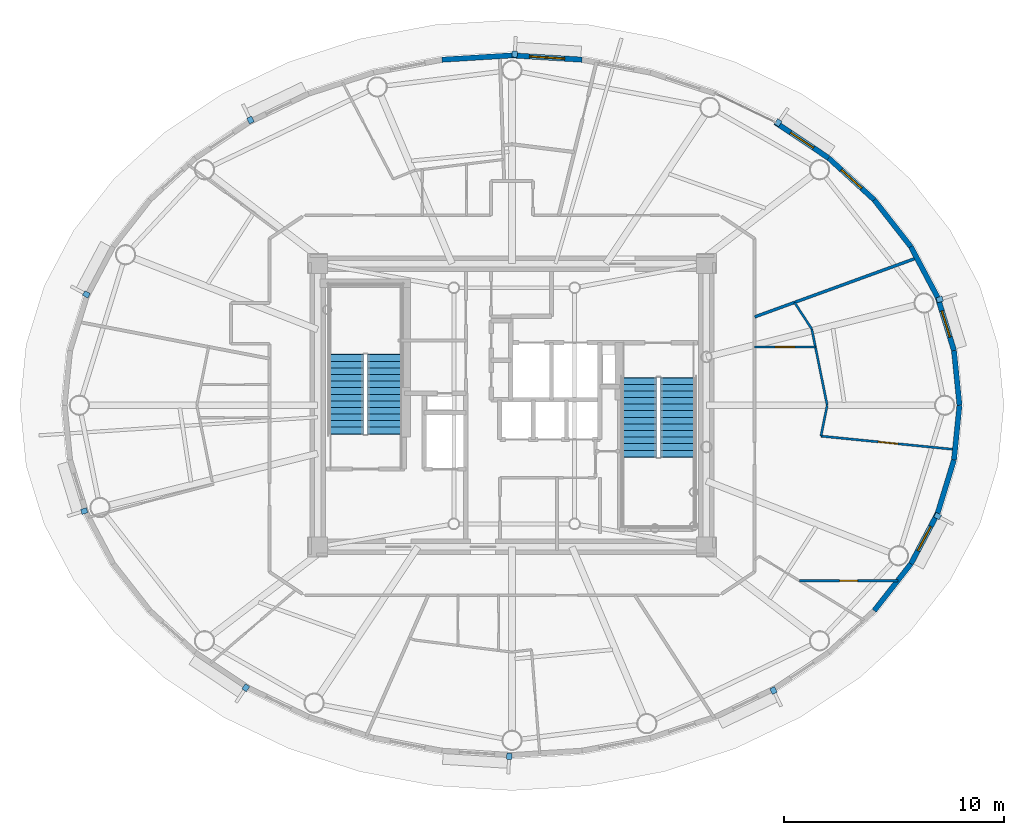
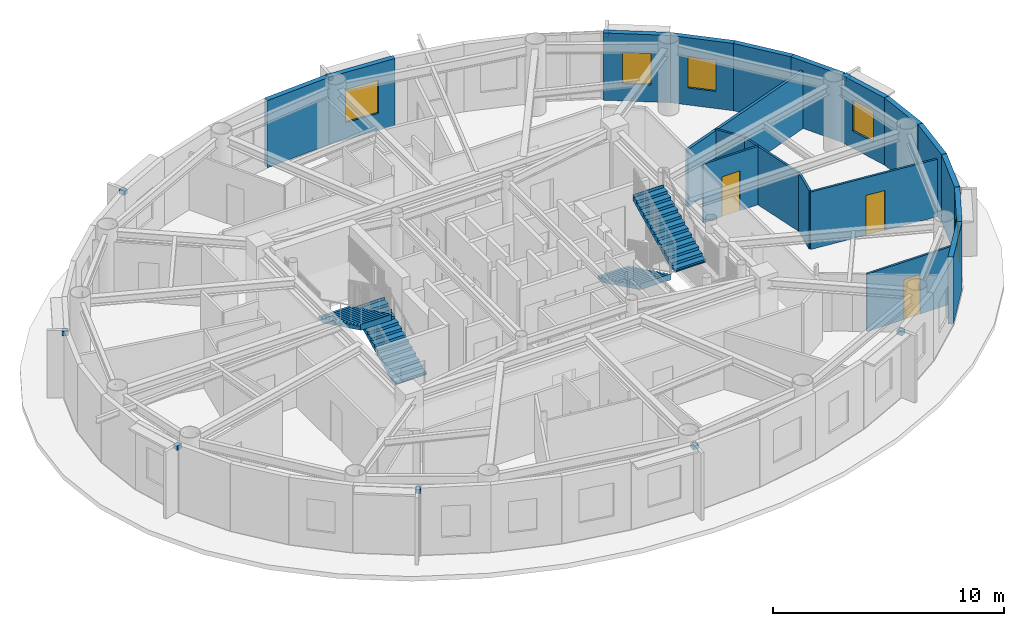
# One storey, part 11 of 17: 19 walls, 10 discrete accessories, 5 windows, 4 stair flights, 3 doors, 8 openings, 2 elements without a shape of their own.
"""IFC4 building model written with IfcOpenShell, lengths in metres."""

from ifc_helpers import new_model, si_unit, direction, frame, frame_2d, origin, origin_2d, place, context, subcontext, project, spatial, polyline, rectangle, outline, extrude, source, transform, mapped, material, layer, layer_set, type_object, element, fill, aggregate, save


model = new_model("IFC4")

# Units and contexts
model_context = context("Model", 3, precision=1e-05, world=origin(), true_north=direction((0.0, 1.0)))
body_context = subcontext(model_context, "Body", "Model", "MODEL_VIEW")
ifc_project = project(units=[si_unit("LENGTHUNIT", "METRE"), si_unit("AREAUNIT", "SQUARE_METRE"), si_unit("VOLUMEUNIT", "CUBIC_METRE"), si_unit("PLANEANGLEUNIT", "RADIAN"), si_unit("MASSUNIT", "GRAM", prefix="KILO")], contexts=[model_context])

# Site, building, storey
site_placement = place(None, origin())
site = spatial("IfcSite", under=ifc_project, at=site_placement, CompositionType="ELEMENT")
building_placement = place(site_placement, origin())
building = spatial("IfcBuilding", under=site, at=building_placement, Name="Linh Dai School and Residence Tower", CompositionType="ELEMENT")
storey_placement = place(building_placement, frame((0.0, 0.0, 324.0)))
storey = spatial("IfcBuildingStorey", under=building, at=storey_placement, Name="L80", CompositionType="ELEMENT", Elevation=324.0)

# Wall
ifc_material_1 = material(Name="Precast Concrete B45 (C35/45)", Category="concrete")
ifc_layer_1 = layer(ifc_material_1, 0.239990234375)
ifc_layer_set_1 = layer_set([ifc_layer_1], Name="Precast Concrete B45 (C35/45)")
wall_type_1 = type_object("IfcWallType", Name="EW-TC-240", PredefinedType="SOLIDWALL", material=ifc_layer_set_1)
wall_1_placement = place(storey_placement, frame((56.125, 29.48681640625, 0.0), z_axis=(0.0, 0.0, 1.0), x_axis=(0.100025963401, -0.994984827344, 0.0)))
element("IfcWall", 1, at=wall_1_placement, inside=storey, type_object=wall_type_1, Name="L80 Terracotta Exterior Wall 01", PredefinedType="SOLIDWALL", context=body_context, shape_type="SweptSolid", body=[
    extrude(rectangle(XDim=2.499267578125, YDim=0.239990234375, at=frame_2d((1.24951171875, 0.0))), origin(), (0.0, 0.0, 1.0), 3.550048828125),
])

# Wall, opening, window
wall_2_placement = place(storey_placement, frame((55.381103515625, 31.913330078125, 0.0), z_axis=(0.0, 0.0, 1.0), x_axis=(0.293105547213, -0.956080089842, 0.0)))
wall_2 = element("IfcWall", 2, at=wall_2_placement, inside=storey, type_object=wall_type_1, Name="L80 Terracotta Exterior Wall 02", PredefinedType="SOLIDWALL", context=body_context, shape_type="SweptSolid", body=[
    extrude(rectangle(XDim=2.5380859375, YDim=0.239990234375, at=frame_2d((1.26904296875, 0.0))), origin(), (0.0, 0.0, 1.0), 3.550048828125),
])
opening_1_placement = place(wall_2_placement, frame((0.64404296875, 0.0, 0.89990234375)))
opening_1 = element("IfcOpeningElement", 3, at=opening_1_placement, cuts=wall_2, Name="Opening W3", PredefinedType="OPENING", context=body_context, shape_type="SweptSolid", body=[
    extrude(rectangle(XDim=1.25, YDim=1.64990234375, at=origin_2d()), frame((0.625, 0.1298828125, 0.824951171875), z_axis=(0.0, -1.0, 0.0), x_axis=(1.0, 0.0, 0.0)), (0.0, 0.0, 1.0), 0.260009765625),
])
ifc_material_2 = material(Name="Double Low-E Insulated Glazing", Category="glass")
window_type_1 = type_object("IfcWindowType", Name="WN-RES-1250x1650", PartitioningType="SINGLE_PANEL", PredefinedType="WINDOW", material=ifc_material_2)
shared_shape_1 = source(origin(), body_context, "Body", "SweptSolid", [
    extrude(rectangle(XDim=1.25, YDim=1.64990234375, at=origin_2d()), frame((0.625, 0.030029296875, 0.824951171875), z_axis=(0.0, -1.0, 0.0), x_axis=(1.0, 0.0, 0.0)), (0.0, 0.0, 1.0), 0.06005859375),
])
window_1_placement = place(opening_1_placement, origin())
window_1 = element("IfcWindow", 4, at=window_1_placement, inside=storey, type_object=window_type_1, Name="L80 Dwelling Window U8004-BD2", OverallHeight=1.64990234375, OverallWidth=1.25, PartitioningType="SINGLE_PANEL", PredefinedType="WINDOW", context=body_context, shape_type="MappedRepresentation", body=[
    mapped(shared_shape_1, transform((0.0, 0.0, 0.0), x_axis=(1.0, 0.0, 0.0), y_axis=(0.0, 1.0, 0.0), z_axis=(0.0, 0.0, 1.0), scale=1.0)),
])
fill(opening_1, window_1)

# Walls
wall_3_placement = place(storey_placement, frame((54.160888671875, 34.220703125, 0.0), z_axis=(0.0, 0.0, 1.0), x_axis=(0.467487999989, -0.883999417345, 0.0)))
element("IfcWall", 5, at=wall_3_placement, inside=storey, type_object=wall_type_1, Name="L80 Terracotta Exterior Wall 03", PredefinedType="SOLIDWALL", context=body_context, shape_type="SweptSolid", body=[
    extrude(rectangle(XDim=2.610107421875, YDim=0.239990234375, at=frame_2d((1.30517578125, 0.0))), origin(), (0.0, 0.0, 1.0), 3.550048828125),
])
wall_4_placement = place(storey_placement, frame((52.4931640625, 36.351806640625, 0.0), z_axis=(0.0, 0.0, 1.0), x_axis=(0.616286367698, -0.78752213492, 0.0)))
element("IfcWall", 6, at=wall_4_placement, inside=storey, type_object=wall_type_1, Name="L80 Terracotta Exterior Wall 04", PredefinedType="SOLIDWALL", context=body_context, shape_type="SweptSolid", body=[
    extrude(rectangle(XDim=2.7060546875, YDim=0.239990234375, at=frame_2d((1.35302734375, 0.0))), origin(), (0.0, 0.0, 1.0), 3.550048828125),
])

# Wall, opening, window
wall_5_placement = place(storey_placement, frame((50.418701171875, 38.254150390625, 0.0), z_axis=(0.0, 0.0, 1.0), x_axis=(0.737020907932, -0.675869944051, 0.0)))
wall_5 = element("IfcWall", 7, at=wall_5_placement, inside=storey, type_object=wall_type_1, Name="L80 Terracotta Exterior Wall 05", PredefinedType="SOLIDWALL", context=body_context, shape_type="SweptSolid", body=[
    extrude(rectangle(XDim=2.814697265625, YDim=0.239990234375, at=frame_2d((1.4072265625, 0.0))), origin(), (0.0, 0.0, 1.0), 3.550048828125),
])
opening_2_placement = place(wall_5_placement, frame((0.781982421875, 0.0, 0.89990234375)))
opening_2 = element("IfcOpeningElement", 8, at=opening_2_placement, cuts=wall_5, Name="Opening W3", PredefinedType="OPENING", context=body_context, shape_type="SweptSolid", body=[
    extrude(rectangle(XDim=1.25, YDim=1.64990234375, at=origin_2d()), frame((0.625, 0.1298828125, 0.824951171875), z_axis=(0.0, -1.0, 0.0), x_axis=(1.0, 0.0, 0.0)), (0.0, 0.0, 1.0), 0.260009765625),
])
window_2_placement = place(opening_2_placement, origin())
window_2 = element("IfcWindow", 9, at=window_2_placement, inside=storey, type_object=window_type_1, Name="L80 Exterior Window 05.1", OverallHeight=1.64990234375, OverallWidth=1.25, PartitioningType="SINGLE_PANEL", PredefinedType="WINDOW", context=body_context, shape_type="MappedRepresentation", body=[
    mapped(shared_shape_1, transform((0.0, 0.0, 0.0), x_axis=(1.0, 0.0, 0.0), y_axis=(0.0, 1.0, 0.0), z_axis=(0.0, 0.0, 1.0), scale=1.0)),
])
fill(opening_2, window_2)

wall_6_placement = place(storey_placement, frame((47.98779296875, 39.880126953125, 0.0), z_axis=(0.0, 0.0, 1.0), x_axis=(0.831201688654, -0.555970999944, 0.0)))
wall_6 = element("IfcWall", 10, at=wall_6_placement, inside=storey, type_object=wall_type_1, Name="L80 Terracotta Exterior Wall 06", PredefinedType="SOLIDWALL", context=body_context, shape_type="SweptSolid", body=[
    extrude(rectangle(XDim=2.924560546875, YDim=0.239990234375, at=frame_2d((1.46240234375, 0.0))), origin(), (0.0, 0.0, 1.0), 3.550048828125),
])
opening_3_placement = place(wall_6_placement, frame((0.837158203125, 0.0, 0.89990234375)))
opening_3 = element("IfcOpeningElement", 11, at=opening_3_placement, cuts=wall_6, Name="Opening W3", PredefinedType="OPENING", context=body_context, shape_type="SweptSolid", body=[
    extrude(rectangle(XDim=1.25, YDim=1.64990234375, at=origin_2d()), frame((0.625, 0.1298828125, 0.824951171875), z_axis=(0.0, -1.0, 0.0), x_axis=(1.0, 0.0, 0.0)), (0.0, 0.0, 1.0), 0.260009765625),
])
window_3_placement = place(opening_3_placement, origin())
window_3 = element("IfcWindow", 12, at=window_3_placement, inside=storey, type_object=window_type_1, Name="L80 Exterior Window 06.1", OverallHeight=1.64990234375, OverallWidth=1.25, PartitioningType="SINGLE_PANEL", PredefinedType="WINDOW", context=body_context, shape_type="MappedRepresentation", body=[
    mapped(shared_shape_1, transform((0.0, 0.0, 0.0), x_axis=(1.0, 0.0, 0.0), y_axis=(0.0, 1.0, 0.0), z_axis=(0.0, 0.0, 1.0), scale=1.0)),
])
fill(opening_3, window_3)

wall_7_placement = place(storey_placement, frame((36.0, 42.929931640625, 0.0), z_axis=(0.0, 0.0, 1.0), x_axis=(0.998109204399, -0.061465568355, 0.0)))
wall_7 = element("IfcWall", 13, at=wall_7_placement, inside=storey, type_object=wall_type_1, Name="L80 Terracotta Exterior Wall 10", PredefinedType="SOLIDWALL", context=body_context, shape_type="SweptSolid", body=[
    extrude(rectangle(XDim=3.197509765625, YDim=0.239990234375, at=frame_2d((1.5986328125, 0.0))), origin(), (0.0, 0.0, 1.0), 3.550048828125),
])
opening_4_placement = place(wall_7_placement, frame((0.798828125, 0.0, 0.89990234375)))
opening_4 = element("IfcOpeningElement", 14, at=opening_4_placement, cuts=wall_7, Name="Opening W2", PredefinedType="OPENING", context=body_context, shape_type="SweptSolid", body=[
    extrude(rectangle(XDim=1.60009765625, YDim=1.75, at=origin_2d()), frame((0.800048828125, 0.1298828125, 0.875), z_axis=(0.0, -1.0, 0.0), x_axis=(1.0, 0.0, 0.0)), (0.0, 0.0, 1.0), 0.260009765625),
])
window_type_2 = type_object("IfcWindowType", Name="WN-RES-1600x1750", PartitioningType="DOUBLE_PANEL_VERTICAL", PredefinedType="WINDOW", material=ifc_material_2)
shared_shape_2 = source(origin(), body_context, "Body", "SweptSolid", [
    extrude(rectangle(XDim=1.60009765625, YDim=1.75, at=origin_2d()), frame((0.800048828125, 0.030029296875, 0.875), z_axis=(0.0, -1.0, 0.0), x_axis=(1.0, 0.0, 0.0)), (0.0, 0.0, 1.0), 0.06005859375),
])
window_4_placement = place(opening_4_placement, origin())
window_4 = element("IfcWindow", 15, at=window_4_placement, inside=storey, type_object=window_type_2, Name="L80 Exterior Window 10.1", OverallHeight=1.75, OverallWidth=1.60009765625, PartitioningType="DOUBLE_PANEL_VERTICAL", PredefinedType="WINDOW", context=body_context, shape_type="MappedRepresentation", body=[
    mapped(shared_shape_2, transform((0.0, 0.0, 0.0), x_axis=(1.0, 0.0, 0.0), y_axis=(0.0, 1.0, 0.0), z_axis=(0.0, 0.0, 1.0), scale=1.0)),
])
fill(opening_4, window_4)

# Walls
wall_8_placement = place(storey_placement, frame((32.80859375, 42.7333984375, 0.0), z_axis=(0.0, 0.0, 1.0), x_axis=(0.998109204399, 0.061465568355, 0.0)))
element("IfcWall", 16, at=wall_8_placement, inside=storey, type_object=wall_type_1, Name="L80 Terracotta Exterior Wall 11", PredefinedType="SOLIDWALL", context=body_context, shape_type="SweptSolid", body=[
    extrude(rectangle(XDim=3.197509765625, YDim=0.239990234375, at=frame_2d((1.5986328125, 0.0))), origin(), (0.0, 0.0, 1.0), 3.550048828125),
])
wall_9_placement = place(storey_placement, frame((54.160888671875, 19.779296875, 0.0), z_axis=(0.0, 0.0, 1.0), x_axis=(-0.616286367698, -0.78752213492, 0.0)))
element("IfcWall", 17, at=wall_9_placement, inside=storey, type_object=wall_type_1, Name="L80 Terracotta Exterior Wall 37", PredefinedType="SOLIDWALL", context=body_context, shape_type="SweptSolid", body=[
    extrude(rectangle(XDim=2.7060546875, YDim=0.239990234375, at=frame_2d((1.35302734375, 0.0))), origin(), (0.0, 0.0, 1.0), 3.550048828125),
])

# Wall, opening, window
wall_10_placement = place(storey_placement, frame((55.381103515625, 22.086669921875, 0.0), z_axis=(0.0, 0.0, 1.0), x_axis=(-0.467487999989, -0.883999417345, 0.0)))
wall_10 = element("IfcWall", 18, at=wall_10_placement, inside=storey, type_object=wall_type_1, Name="L80 Terracotta Exterior Wall 38", PredefinedType="SOLIDWALL", context=body_context, shape_type="SweptSolid", body=[
    extrude(rectangle(XDim=2.610107421875, YDim=0.239990234375, at=frame_2d((1.30517578125, 0.0))), origin(), (0.0, 0.0, 1.0), 3.550048828125),
])
opening_5_placement = place(wall_10_placement, frame((0.68017578125, 0.0, 0.89990234375)))
opening_5 = element("IfcOpeningElement", 19, at=opening_5_placement, cuts=wall_10, Name="Opening W3", PredefinedType="OPENING", context=body_context, shape_type="SweptSolid", body=[
    extrude(rectangle(XDim=1.25, YDim=1.64990234375, at=origin_2d()), frame((0.625, 0.1298828125, 0.824951171875), z_axis=(0.0, -1.0, 0.0), x_axis=(1.0, 0.0, 0.0)), (0.0, 0.0, 1.0), 0.260009765625),
])
window_5_placement = place(opening_5_placement, origin())
window_5 = element("IfcWindow", 20, at=window_5_placement, inside=storey, type_object=window_type_1, Name="L80 Dwelling Window U8004-LIV", OverallHeight=1.64990234375, OverallWidth=1.25, PartitioningType="SINGLE_PANEL", PredefinedType="WINDOW", context=body_context, shape_type="MappedRepresentation", body=[
    mapped(shared_shape_1, transform((0.0, 0.0, 0.0), x_axis=(1.0, 0.0, 0.0), y_axis=(0.0, 1.0, 0.0), z_axis=(0.0, 0.0, 1.0), scale=1.0)),
])
fill(opening_5, window_5)

# Walls
wall_11_placement = place(storey_placement, frame((56.125, 24.51318359375, 0.0), z_axis=(0.0, 0.0, 1.0), x_axis=(-0.293105547213, -0.956080089842, 0.0)))
element("IfcWall", 21, at=wall_11_placement, inside=storey, type_object=wall_type_1, Name="L80 Terracotta Exterior Wall 39", PredefinedType="SOLIDWALL", context=body_context, shape_type="SweptSolid", body=[
    extrude(rectangle(XDim=2.5380859375, YDim=0.239990234375, at=frame_2d((1.26904296875, 0.0))), origin(), (0.0, 0.0, 1.0), 3.550048828125),
])
wall_12_placement = place(storey_placement, frame((56.375, 27.0, 0.0), z_axis=(0.0, 0.0, 1.0), x_axis=(-0.100025963401, -0.994984827344, 0.0)))
element("IfcWall", 22, at=wall_12_placement, inside=storey, type_object=wall_type_1, Name="L80 Terracotta Exterior Wall 40", PredefinedType="SOLIDWALL", context=body_context, shape_type="SweptSolid", body=[
    extrude(rectangle(XDim=2.499267578125, YDim=0.239990234375, at=frame_2d((1.24951171875, 0.0))), origin(), (0.0, 0.0, 1.0), 3.550048828125),
])
ifc_material_3 = material(Name="Autoclaved Aerated Concrete Blockwork", Category="masonry")
ifc_layer_2 = layer(ifc_material_3, 0.135009765625)
ifc_layer_set_2 = layer_set([ifc_layer_2], Name="Autoclaved Aerated Concrete Blockwork")
wall_type_2 = type_object("IfcWallType", Name="IW-CORR-135-EI90", PredefinedType="PARTITIONING", material=ifc_layer_set_2)
wall_13_placement = place(storey_placement, frame((47.050048828125, 31.02197265625, 0.0), z_axis=(0.0, 0.0, 1.0), x_axis=(0.939701798546, 0.341994926584, 0.0)))
element("IfcWall", 23, at=wall_13_placement, inside=storey, type_object=wall_type_2, Name="L80 Interior Partition Wall 077", PredefinedType="PARTITIONING", context=body_context, shape_type="SweptSolid", body=[
    extrude(rectangle(XDim=7.8603515625, YDim=0.135009765625, at=frame_2d((3.93017578125, 0.0))), origin(), (0.0, 0.0, 1.0), 3.034912109375),
])

# Wall, opening, door
ifc_material_4 = material(Name="Gypsum Plasterboard Acoustic Stud Partition", Category="masonry")
ifc_layer_3 = layer(ifc_material_4, 0.10009765625)
ifc_layer_set_3 = layer_set([ifc_layer_3], Name="Gypsum Plasterboard Acoustic Stud Partition")
wall_type_3 = type_object("IfcWallType", Name="IW-UNIT-100", PredefinedType="PARTITIONING", material=ifc_layer_set_3)
wall_14_placement = place(storey_placement, frame((47.050048828125, 29.654052734375, 0.0), z_axis=(0.0, 0.0, 1.0), x_axis=(1.0, 0.0, 0.0)))
wall_14 = element("IfcWall", 24, at=wall_14_placement, inside=storey, type_object=wall_type_3, Name="L80 Interior Partition Wall 076", PredefinedType="PARTITIONING", context=body_context, shape_type="SweptSolid", body=[
    extrude(rectangle(XDim=2.76318359375, YDim=0.10009765625, at=frame_2d((1.381591796875, 0.0))), origin(), (0.0, 0.0, 1.0), 3.0849609375),
])
opening_6_placement = place(wall_14_placement, frame((0.931640625, 0.0, 0.0)))
opening_6 = element("IfcOpeningElement", 25, at=opening_6_placement, cuts=wall_14, Name="Opening D05", PredefinedType="OPENING", context=body_context, shape_type="SweptSolid", body=[
    extrude(rectangle(XDim=0.89990234375, YDim=2.10009765625, at=origin_2d()), frame((0.449951171875, 0.06005859375, 1.050048828125), z_axis=(0.0, -1.0, 0.0), x_axis=(1.0, 0.0, 0.0)), (0.0, 0.0, 1.0), 0.1201171875),
])
ifc_material_5 = material(Name="Engineered Timber Internal Door", Category="wood")
door_type_1 = type_object("IfcDoorType", Name="DR-INT-900x2100", OperationType="NOTDEFINED", PredefinedType="DOOR", material=ifc_material_5)
shared_shape_3 = source(origin(), body_context, "Body", "SweptSolid", [
    extrude(rectangle(XDim=0.89990234375, YDim=2.10009765625, at=origin_2d()), frame((0.449951171875, 0.02490234375, 1.050048828125), z_axis=(0.0, -1.0, 0.0), x_axis=(1.0, 0.0, 0.0)), (0.0, 0.0, 1.0), 0.050048828125),
])
door_1_placement = place(opening_6_placement, origin())
door_1 = element("IfcDoor", 26, at=door_1_placement, inside=storey, type_object=door_type_1, Name="L80 Apartment U8004 Kitchen Door", OperationType="SINGLE_SWING_LEFT", OverallHeight=2.10009765625, OverallWidth=0.89990234375, PredefinedType="DOOR", context=body_context, shape_type="MappedRepresentation", body=[
    mapped(shared_shape_3, transform((0.0, 0.0, 0.0), x_axis=(1.0, 0.0, 0.0), y_axis=(0.0, 1.0, 0.0), z_axis=(0.0, 0.0, 1.0), scale=1.0)),
])
fill(opening_6, door_1)

# Wall
wall_15_placement = place(storey_placement, frame((48.861572265625, 31.68115234375, 0.0), z_axis=(0.0, 0.0, 1.0), x_axis=(0.545363345365, -0.838199750377, 0.0)))
element("IfcWall", 27, at=wall_15_placement, inside=storey, type_object=wall_type_3, Name="L80 Interior Partition Wall 079", PredefinedType="PARTITIONING", context=body_context, shape_type="SweptSolid", body=[
    extrude(rectangle(XDim=1.44140625, YDim=0.10009765625, at=frame_2d((0.720703125, 0.0))), origin(), (0.0, 0.0, 1.0), 3.0849609375),
])

# Wall, opening, door
wall_16_placement = place(storey_placement, frame((49.082275390625, 19.011474609375, 0.0), z_axis=(0.0, 0.0, 1.0), x_axis=(1.0, 0.0, 0.0)))
wall_16 = element("IfcWall", 28, at=wall_16_placement, inside=storey, type_object=wall_type_3, Name="L80 Interior Partition Wall 080", PredefinedType="PARTITIONING", context=body_context, shape_type="SweptSolid", body=[
    extrude(rectangle(XDim=4.484130859375, YDim=0.10009765625, at=frame_2d((2.2421875, 0.0))), origin(), (0.0, 0.0, 1.0), 3.034912109375),
])
opening_7_placement = place(wall_16_placement, frame((1.83203125, 0.0, 0.0)))
opening_7 = element("IfcOpeningElement", 29, at=opening_7_placement, cuts=wall_16, Name="Opening D06", PredefinedType="OPENING", context=body_context, shape_type="SweptSolid", body=[
    extrude(rectangle(XDim=0.820068359375, YDim=2.10009765625, at=origin_2d()), frame((0.41015625, 0.06005859375, 1.050048828125), z_axis=(0.0, -1.0, 0.0), x_axis=(1.0, 0.0, 0.0)), (0.0, 0.0, 1.0), 0.1201171875),
])
ifc_material_6 = material(Name="Moisture-Resistant Timber Bathroom Door", Category="wood")
door_type_2 = type_object("IfcDoorType", Name="DR-WET-820x2100", OperationType="NOTDEFINED", PredefinedType="DOOR", material=ifc_material_6)
shared_shape_4 = source(origin(), body_context, "Body", "SweptSolid", [
    extrude(rectangle(XDim=0.820068359375, YDim=2.10009765625, at=origin_2d()), frame((0.41015625, 0.02490234375, 1.050048828125), z_axis=(0.0, -1.0, 0.0), x_axis=(1.0, 0.0, 0.0)), (0.0, 0.0, 1.0), 0.050048828125),
])
door_2_placement = place(opening_7_placement, origin())
door_2 = element("IfcDoor", 30, at=door_2_placement, inside=storey, type_object=door_type_2, Name="L80 Apartment U8004 Bathroom 1 Door", OperationType="SINGLE_SWING_RIGHT", OverallHeight=2.10009765625, OverallWidth=0.820068359375, PredefinedType="DOOR", context=body_context, shape_type="MappedRepresentation", body=[
    mapped(shared_shape_4, transform((0.0, 0.0, 0.0), x_axis=(1.0, 0.0, 0.0), y_axis=(0.0, 1.0, 0.0), z_axis=(0.0, 0.0, 1.0), scale=1.0)),
])
fill(opening_7, door_2)

# Walls
wall_17_placement = place(storey_placement, frame((49.647705078125, 30.472900390625, 0.0), z_axis=(0.0, 0.0, 1.0), x_axis=(0.198182976535, -0.980165041109, 0.0)))
element("IfcWall", 31, at=wall_17_placement, inside=storey, type_object=wall_type_3, Name="L80 Interior Partition Wall 081", PredefinedType="PARTITIONING", context=body_context, shape_type="SweptSolid", body=[
    extrude(rectangle(XDim=3.54296875, YDim=0.10009765625, at=frame_2d((1.771484375, 0.0))), origin(), (0.0, 0.0, 1.0), 3.0849609375),
])
wall_18_placement = place(storey_placement, frame((50.06591796875, 25.5947265625, 0.0), z_axis=(0.0, 0.0, 1.0), x_axis=(0.198211500043, 0.980159273409, 0.0)))
element("IfcWall", 32, at=wall_18_placement, inside=storey, type_object=wall_type_3, Name="L80 Interior Partition Wall 082", PredefinedType="PARTITIONING", context=body_context, shape_type="SweptSolid", body=[
    extrude(rectangle(XDim=1.433837890625, YDim=0.10009765625, at=frame_2d((0.716796875, 0.0))), origin(), (0.0, 0.0, 1.0), 3.0849609375),
])

# Wall, opening, door
wall_19_placement = place(storey_placement, frame((50.06591796875, 25.5947265625, 0.0), z_axis=(0.0, 0.0, 1.0), x_axis=(0.995050169207, -0.099373843447, 0.0)))
wall_19 = element("IfcWall", 33, at=wall_19_placement, inside=storey, type_object=wall_type_3, Name="L80 Interior Partition Wall 083", PredefinedType="PARTITIONING", context=body_context, shape_type="SweptSolid", body=[
    extrude(rectangle(XDim=6.14208984375, YDim=0.10009765625, at=frame_2d((3.071044921875, 0.0))), origin(), (0.0, 0.0, 1.0), 3.034912109375),
])
opening_8_placement = place(wall_19_placement, frame((2.62109375, 0.0, 0.0)))
opening_8 = element("IfcOpeningElement", 34, at=opening_8_placement, cuts=wall_19, Name="Opening D05", PredefinedType="OPENING", context=body_context, shape_type="SweptSolid", body=[
    extrude(rectangle(XDim=0.89990234375, YDim=2.10009765625, at=origin_2d()), frame((0.449951171875, 0.06005859375, 1.050048828125), z_axis=(0.0, -1.0, 0.0), x_axis=(1.0, 0.0, 0.0)), (0.0, 0.0, 1.0), 0.1201171875),
])
door_3_placement = place(opening_8_placement, origin())
door_3 = element("IfcDoor", 35, at=door_3_placement, inside=storey, type_object=door_type_1, Name="L80 Apartment U8004 Principal Bedroom 2 Door", OperationType="SINGLE_SWING_LEFT", OverallHeight=2.10009765625, OverallWidth=0.89990234375, PredefinedType="DOOR", context=body_context, shape_type="MappedRepresentation", body=[
    mapped(shared_shape_3, transform((0.0, 0.0, 0.0), x_axis=(1.0, 0.0, 0.0), y_axis=(0.0, 1.0, 0.0), z_axis=(0.0, 0.0, 1.0), scale=1.0)),
])
fill(opening_8, door_3)

# Stair, stair flights
ifc_material_7 = material(Name="Concrete B45 (C35/45)", Category="concrete")
stair_type = type_object("IfcStairType", Name="ST-DOG-1550-R1462", PredefinedType="HALF_TURN_STAIR", material=ifc_material_7)
stair_1_placement = place(storey_placement, origin())
stair_1 = element("IfcStair", 36, at=stair_1_placement, inside=storey, type_object=stair_type, Name="L80 Core Smokeproof Exit Stair ST1", PredefinedType="HALF_TURN_STAIR")
stair_flight_type = type_object("IfcStairFlightType", Name="STF-STR-1550-R1462", PredefinedType="STRAIGHT", material=ifc_material_7)
shared_shape_5 = source(origin(), body_context, "Body", "SweptSolid", [
    extrude(outline(polyline([(-0.02490234375, 0.0), (-0.02490234375, 0.06005859375), (0.0, 0.06005859375), (0.0, 0.146240234375), (0.300048828125, 0.146240234375), (0.300048828125, 0.292236328125), (0.60009765625, 0.292236328125), (0.60009765625, 0.4384765625), (0.89990234375, 0.4384765625), (0.89990234375, 0.584716796875), (1.199951171875, 0.584716796875), (1.199951171875, 0.730712890625), (1.5, 0.730712890625), (1.5, 0.876953125), (1.800048828125, 0.876953125), (1.800048828125, 1.023193359375), (2.10009765625, 1.023193359375), (2.10009765625, 1.169189453125), (2.39990234375, 1.169189453125), (2.39990234375, 1.3154296875), (2.699951171875, 1.3154296875), (2.699951171875, 1.46142578125), (3.0, 1.46142578125), (3.0, 1.607666015625), (3.300048828125, 1.607666015625), (3.300048828125, 1.75390625), (3.60009765625, 1.75390625), (3.60009765625, 1.89990234375), (3.625, 1.89990234375), (3.625, 1.587158203125), (3.60009765625, 1.587158203125), (0.34228515625, 0.0), (-0.02490234375, 0.0)])), frame((0.0, 0.77490234375, 0.0), z_axis=(0.0, -1.0, 0.0), x_axis=(1.0, 0.0, 0.0)), (0.0, 0.0, 1.0), 1.550048828125),
])
stair_flight_1_placement = place(storey_placement, frame((30.205078125, 25.699951171875, 0.0), z_axis=(0.0, 0.0, 1.0), x_axis=(0.0, 1.0, 0.0)))
stair_flight_1 = element("IfcStairFlight", 37, at=stair_flight_1_placement, type_object=stair_flight_type, Name="ST1 flight 1", NumberOfRisers=13, NumberOfTreads=12, PredefinedType="STRAIGHT", RiserHeight=0.146153846, TreadLength=0.3, context=body_context, shape_type="MappedRepresentation", body=[
    mapped(shared_shape_5, transform((0.0, 0.0, 0.0), x_axis=(1.0, 0.0, 0.0), y_axis=(0.0, 1.0, 0.0), z_axis=(0.0, 0.0, 1.0), scale=1.0)),
])
stair_flight_2_placement = place(storey_placement, frame((28.455078125, 29.300048828125, 1.89990234375), z_axis=(0.0, 0.0, 1.0), x_axis=(0.0, -1.0, 0.0)))
stair_flight_2 = element("IfcStairFlight", 38, at=stair_flight_2_placement, type_object=stair_flight_type, Name="ST1 flight 2", NumberOfRisers=13, NumberOfTreads=12, PredefinedType="STRAIGHT", RiserHeight=0.146153846, TreadLength=0.3, context=body_context, shape_type="MappedRepresentation", body=[
    mapped(shared_shape_5, transform((0.0, 0.0, 0.0), x_axis=(1.0, 0.0, 0.0), y_axis=(0.0, 1.0, 0.0), z_axis=(0.0, 0.0, 1.0), scale=1.0)),
])
aggregate(stair_1, [stair_flight_1, stair_flight_2])

stair_2_placement = place(storey_placement, origin())
stair_2 = element("IfcStair", 39, at=stair_2_placement, inside=storey, type_object=stair_type, Name="L80 Core Smokeproof Exit Stair ST2", PredefinedType="HALF_TURN_STAIR")
stair_flight_3_placement = place(storey_placement, frame((41.794921875, 28.25, 0.0), z_axis=(0.0, 0.0, 1.0), x_axis=(0.0, -1.0, 0.0)))
stair_flight_3 = element("IfcStairFlight", 40, at=stair_flight_3_placement, type_object=stair_flight_type, Name="ST2 flight 1", NumberOfRisers=13, NumberOfTreads=12, PredefinedType="STRAIGHT", RiserHeight=0.146153846, TreadLength=0.3, context=body_context, shape_type="MappedRepresentation", body=[
    mapped(shared_shape_5, transform((0.0, 0.0, 0.0), x_axis=(1.0, 0.0, 0.0), y_axis=(0.0, 1.0, 0.0), z_axis=(0.0, 0.0, 1.0), scale=1.0)),
])
stair_flight_4_placement = place(storey_placement, frame((43.544921875, 24.64990234375, 1.89990234375), z_axis=(0.0, 0.0, 1.0), x_axis=(0.0, 1.0, 0.0)))
stair_flight_4 = element("IfcStairFlight", 41, at=stair_flight_4_placement, type_object=stair_flight_type, Name="ST2 flight 2", NumberOfRisers=13, NumberOfTreads=12, PredefinedType="STRAIGHT", RiserHeight=0.146153846, TreadLength=0.3, context=body_context, shape_type="MappedRepresentation", body=[
    mapped(shared_shape_5, transform((0.0, 0.0, 0.0), x_axis=(1.0, 0.0, 0.0), y_axis=(0.0, 1.0, 0.0), z_axis=(0.0, 0.0, 1.0), scale=1.0)),
])
aggregate(stair_2, [stair_flight_3, stair_flight_4])

# Discrete accessories
ifc_material_8 = material(Name="Structural Steel S355JR", Category="steel")
discrete_accessory_type = type_object("IfcDiscreteAccessoryType", Name="ACC-BRK-S355", PredefinedType="BRACKET", material=ifc_material_8)
shared_shape_6 = source(origin(), body_context, "Body", "SweptSolid", [
    extrude(rectangle(XDim=0.280029296875, YDim=0.239990234375, at=origin_2d()), origin(), (0.0, 0.0, 1.0), 0.219970703125),
])
for number, where, z_axis, x_axis, name in (
    (42, (55.4736328125, 31.816162109375, 3.2998046875), (0.0, 0.0, 1.0), (0.956083389379, 0.293094784248, 0.0), "L80 Facade Frame Anchor Bracket 02"),
    (43, (48.120849609375, 39.86328125, 3.2998046875), (0.0, 0.0, 1.0), (0.555970777144, 0.831201837679, 0.0), "L80 Facade Frame Anchor Bracket 06"),
    (44, (36.12353515625, 42.982421875, 3.2998046875), (0.0, 0.0, 1.0), (0.061518467854, 0.998105945335, 0.0), "L80 Facade Frame Anchor Bracket 10"),
    (45, (24.094482421875, 39.986083984375, 3.2998046875), (0.0, 0.0, 1.0), (-0.432673572418, 0.901550652892, 0.0), "L80 Facade Frame Anchor Bracket 14"),
    (46, (16.621826171875, 32.047607421875, 3.2998046875), (0.0, 0.0, 1.0), (-0.883971809156, 0.46754020214, 0.0), "L80 Facade Frame Anchor Bracket 18"),
    (47, (16.5263671875, 22.183837890625, 3.2998046875), (0.0, 0.0, 1.0), (-0.956083389379, -0.293094784248, 0.0), "L80 Facade Frame Anchor Bracket 22"),
    (48, (23.879150390625, 14.13671875, 3.2998046875), (0.0, 0.0, 1.0), (-0.555970777144, -0.831201837679, 0.0), "L80 Facade Frame Anchor Bracket 26"),
    (49, (35.87646484375, 11.017578125, 3.2998046875), (0.0, 0.0, 1.0), (-0.061518467854, -0.998105945335, 0.0), "L80 Facade Frame Anchor Bracket 30"),
    (50, (47.905517578125, 14.013916015625, 3.2998046875), (0.0, 0.0, 1.0), (0.432673572418, -0.901550652892, 0.0), "L80 Facade Frame Anchor Bracket 34"),
    (51, (55.378173828125, 21.952392578125, 3.2998046875), (0.0, 0.0, 1.0), (0.883971809156, -0.46754020214, 0.0), "L80 Facade Frame Anchor Bracket 38"),
):
    element("IfcDiscreteAccessory", number, at=place(storey_placement, frame(where, z_axis=z_axis, x_axis=x_axis)), inside=storey, type_object=discrete_accessory_type, Name=name, PredefinedType="BRACKET", context=body_context, shape_type="MappedRepresentation", body=[
        mapped(shared_shape_6, transform((0.0, 0.0, 0.0), x_axis=(1.0, 0.0, 0.0), y_axis=(0.0, 1.0, 0.0), z_axis=(0.0, 0.0, 1.0), scale=1.0)),
    ])

save(model, "model.ifc")
